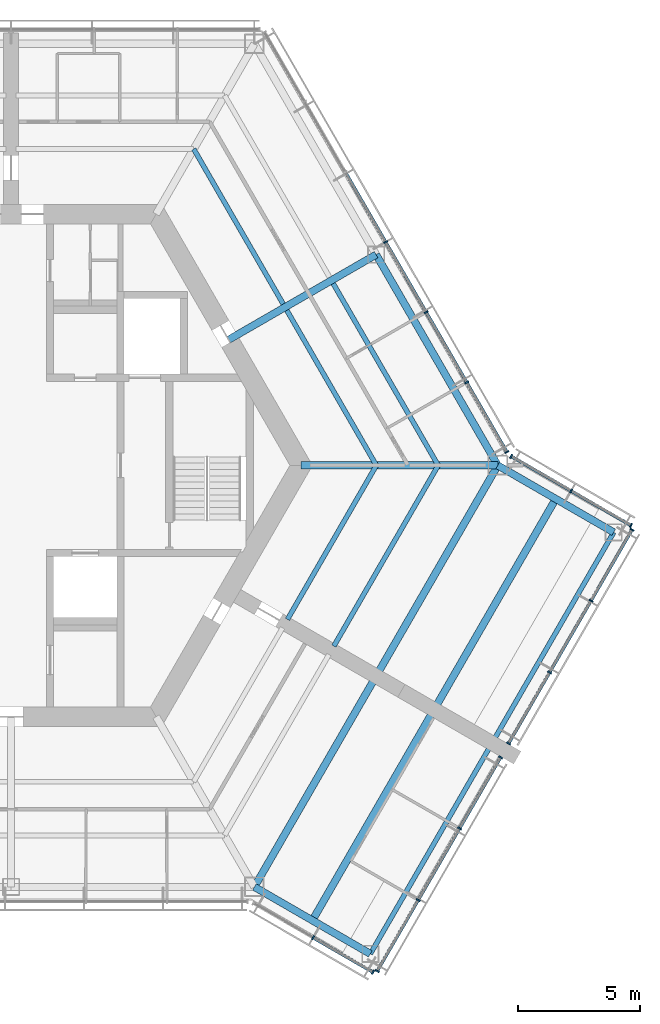
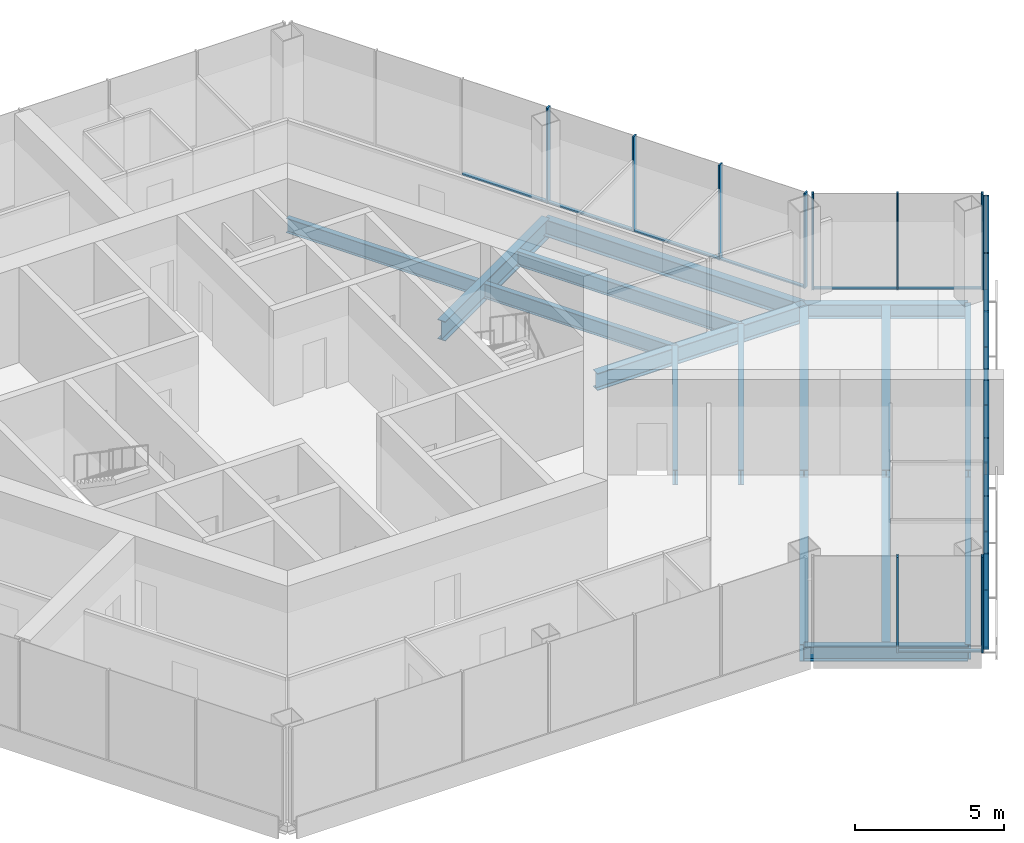
# One storey, part 4 of 13: 30 members, 16 beams, 5 elements without a shape of their own.
"""IFC4 building model written with IfcOpenShell, lengths in metres."""

from ifc_helpers import new_model, si_unit, direction, frame, origin, origin_2d, place, context, subcontext, project, spatial, rectangle, i_section, extrude, material, material_profile, profile_set, type_object, element, aggregate, save


model = new_model("IFC4")

# Units and contexts
model_context = context("Model", 3, precision=1e-05, world=origin(), true_north=direction((0.0, 1.0)))
body_context = subcontext(model_context, "Body", "Model", "MODEL_VIEW")
ifc_project = project(units=[si_unit("LENGTHUNIT", "METRE"), si_unit("AREAUNIT", "SQUARE_METRE"), si_unit("VOLUMEUNIT", "CUBIC_METRE"), si_unit("PLANEANGLEUNIT", "RADIAN"), si_unit("MASSUNIT", "GRAM", prefix="KILO")], contexts=[model_context])

# Site, building, storey
site_placement = place(None, origin())
site = spatial("IfcSite", under=ifc_project, at=site_placement, CompositionType="ELEMENT")
building_placement = place(site_placement, origin())
building = spatial("IfcBuilding", under=site, at=building_placement, Name="Kasaneha Research Tower", CompositionType="ELEMENT")
storey_placement = place(building_placement, frame((0.0, 0.0, 290.800048828125)))
storey = spatial("IfcBuildingStorey", under=building, at=storey_placement, Name="L73", CompositionType="ELEMENT", Elevation=290.800048828125)

# Beams
ifc_material_1 = material(Name="Steel SN490B", Category="steel")
ifc_material_profile_1 = material_profile(ifc_material_1, i_section(OverallWidth=0.199951171875, OverallDepth=0.60009765625, WebThickness=0.010986328125, FlangeThickness=0.01708984375, FilletRadius=0.012939453125, at=origin_2d()), Name="H-600x200x11x17")
ifc_profile_set_1 = profile_set([ifc_material_profile_1], Name="Steel SN490B")
beam_type_1 = type_object("IfcBeamType", Name="B1-3 secondary beam H-600x200x11x17", PredefinedType="JOIST", material=ifc_profile_set_1)
beam_1_placement = place(storey_placement, frame((15.010986328125, 0.0, -0.449951171875), z_axis=(-0.499994443168, 0.866028611999, 0.0), x_axis=(-0.866028611999, -0.499994443168, 0.0)))
element("IfcBeam", 1, at=beam_1_placement, inside=storey, type_object=beam_type_1, Name="Secondary beam RS030L1 L73", PredefinedType="JOIST", context=body_context, shape_type="SweptSolid", body=[
    extrude(i_section(OverallWidth=0.199951171875, OverallDepth=0.60009765625, WebThickness=0.010986328125, FlangeThickness=0.01708984375, FilletRadius=0.012939453125, at=origin_2d()), origin(), (0.0, 0.0, 1.0), 7.35546875),
])
beam_2_placement = place(storey_placement, frame((17.551513671875, 0.0, -0.449951171875), z_axis=(-0.5000050195, 0.866022505755, 0.0), x_axis=(-0.866022505755, -0.5000050195, 0.0)))
element("IfcBeam", 2, at=beam_2_placement, inside=storey, type_object=beam_type_1, Name="Secondary beam RS030L2 L73", PredefinedType="JOIST", context=body_context, shape_type="SweptSolid", body=[
    extrude(i_section(OverallWidth=0.199951171875, OverallDepth=0.60009765625, WebThickness=0.010986328125, FlangeThickness=0.01708984375, FilletRadius=0.012939453125, at=origin_2d()), origin(), (0.0, 0.0, 1.0), 8.6259765625),
])
beam_3_placement = place(storey_placement, frame((7.505615234375, 13.0, -0.449951171875), z_axis=(0.499994443168, -0.866028611999, 0.0), x_axis=(0.866028611999, 0.499994443168, 0.0)))
element("IfcBeam", 3, at=beam_3_placement, inside=storey, type_object=beam_type_1, Name="Secondary beam RS030R1 L73", PredefinedType="JOIST", context=body_context, shape_type="SweptSolid", body=[
    extrude(i_section(OverallWidth=0.199951171875, OverallDepth=0.60009765625, WebThickness=0.010986328125, FlangeThickness=0.01708984375, FilletRadius=0.012939453125, at=origin_2d()), origin(), (0.0, 0.0, 1.0), 7.35546875),
])
beam_4_placement = place(storey_placement, frame((15.010986328125, 0.0, -0.449951171875), z_axis=(-0.499974128195, -0.866040340363, 0.0), x_axis=(0.866040340363, -0.499974128195, 0.0)))
element("IfcBeam", 4, at=beam_4_placement, inside=storey, type_object=beam_type_1, Name="Secondary beam RS330R1 L73", PredefinedType="JOIST", context=body_context, shape_type="SweptSolid", body=[
    extrude(i_section(OverallWidth=0.199951171875, OverallDepth=0.60009765625, WebThickness=0.010986328125, FlangeThickness=0.01708984375, FilletRadius=0.012939453125, at=origin_2d()), origin(), (0.0, 0.0, 1.0), 7.3056640625),
])
beam_5_placement = place(storey_placement, frame((17.551513671875, 0.0, -0.449951171875), z_axis=(-0.500000102728, -0.866025344474, 0.0), x_axis=(0.866025344474, -0.500000102728, 0.0)))
element("IfcBeam", 5, at=beam_5_placement, inside=storey, type_object=beam_type_1, Name="Secondary beam RS330R2 L73", PredefinedType="JOIST", context=body_context, shape_type="SweptSolid", body=[
    extrude(i_section(OverallWidth=0.199951171875, OverallDepth=0.60009765625, WebThickness=0.010986328125, FlangeThickness=0.01708984375, FilletRadius=0.012939453125, at=origin_2d()), origin(), (0.0, 0.0, 1.0), 8.57568359375),
])
ifc_material_2 = material(Name="Steel SN490B", Category="steel")
ifc_material_profile_2 = material_profile(ifc_material_2, i_section(OverallWidth=0.300048828125, OverallDepth=0.58203125, WebThickness=0.011962890625, FlangeThickness=0.01708984375, FilletRadius=0.012939453125, at=origin_2d()), Name="H-582x300x12x17")
ifc_profile_set_2 = profile_set([ifc_material_profile_2], Name="Steel SN490B")
beam_type_2 = type_object("IfcBeamType", Name="B2-3 secondary beam H-582x300x12x17", PredefinedType="JOIST", material=ifc_profile_set_2)
for number, where, z_axis, x_axis, name in (
    (6, (12.381591796875, -18.695556640625, -0.441162109375), (0.49999201416, 0.866030014362, 0.0), (-0.866030014362, 0.49999201416, 0.0), "Secondary beam WBCP1 L73"),
    (7, (22.381591796875, -1.375, -0.441162109375), (-0.49999201416, -0.866030014362, 0.0), (0.866030014362, -0.49999201416, 0.0), "Secondary beam WBCN1 L73"),
):
    element("IfcBeam", number, at=place(storey_placement, frame(where, z_axis=z_axis, x_axis=x_axis)), inside=storey, type_object=beam_type_2, Name=name, PredefinedType="JOIST", context=body_context, shape_type="SweptSolid", body=[
        extrude(i_section(OverallWidth=0.300048828125, OverallDepth=0.58203125, WebThickness=0.011962890625, FlangeThickness=0.01708984375, FilletRadius=0.012939453125, at=origin_2d()), origin(), (0.0, 0.0, 1.0), 9.800048828125),
    ])

# Curtain wall, members
ifc_material_3 = material(Name="Glass and aluminium", Category="aluminium")
curtain_wall_type = type_object("IfcCurtainWallType", Name="Crown curtain wall", PredefinedType="USERDEFINED", material=ifc_material_3)
curtain_wall_1_placement = place(storey_placement, origin())
curtain_wall_1 = element("IfcCurtainWall", 8, at=curtain_wall_1_placement, inside=storey, type_object=curtain_wall_type, Name="CW-C L73 run 01a", ObjectType="UNITISED CURTAIN WALL", PredefinedType="USERDEFINED")
ifc_material_4 = material(Name="Aluminium 6063-T6", Category="aluminium")
ifc_material_profile_3 = material_profile(ifc_material_4, rectangle(XDim=0.06005859375, YDim=0.179931640625, at=origin_2d()), Name="CW-C mullion 60x180")
ifc_profile_set_3 = profile_set([ifc_material_profile_3], Name="Aluminium 6063-T6")
member_type_1 = type_object("IfcMemberType", Name="CW-C mullion", PredefinedType="MULLION", material=ifc_profile_set_3)
member_1_placement = place(storey_placement, frame((20.374267578125, 0.5517578125, 0.0), z_axis=(0.0, 0.0, 1.0), x_axis=(-0.499999979232, 0.866025415775, 0.0)))
member_1 = element("IfcMember", 9, at=member_1_placement, type_object=member_type_1, Name="CW-C mullion 1", PredefinedType="MULLION", context=body_context, shape_type="SweptSolid", body=[
    extrude(rectangle(XDim=0.06005859375, YDim=0.179931640625, at=origin_2d()), origin(), (0.0, 0.0, 1.0), 3.89990234375),
])
member_2_placement = place(storey_placement, frame((18.723876953125, 3.410400390625, 0.0), z_axis=(0.0, 0.0, 1.0), x_axis=(-0.499999979232, 0.866025415775, 0.0)))
member_2 = element("IfcMember", 10, at=member_2_placement, type_object=member_type_1, Name="CW-C mullion 2", PredefinedType="MULLION", context=body_context, shape_type="SweptSolid", body=[
    extrude(rectangle(XDim=0.06005859375, YDim=0.179931640625, at=origin_2d()), origin(), (0.0, 0.0, 1.0), 3.89990234375),
])
member_3_placement = place(storey_placement, frame((17.058349609375, 6.295166015625, 0.0), z_axis=(0.0, 0.0, 1.0), x_axis=(-0.499999979232, 0.866025415775, 0.0)))
member_3 = element("IfcMember", 11, at=member_3_placement, type_object=member_type_1, Name="CW-C mullion 3", PredefinedType="MULLION", context=body_context, shape_type="SweptSolid", body=[
    extrude(rectangle(XDim=0.06005859375, YDim=0.179931640625, at=origin_2d()), origin(), (0.0, 0.0, 1.0), 3.89990234375),
])
member_4_placement = place(storey_placement, frame((15.392822265625, 9.179931640625, 0.0), z_axis=(0.0, 0.0, 1.0), x_axis=(-0.499999979232, 0.866025415775, 0.0)))
member_4 = element("IfcMember", 12, at=member_4_placement, type_object=member_type_1, Name="CW-C mullion 4", PredefinedType="MULLION", context=body_context, shape_type="SweptSolid", body=[
    extrude(rectangle(XDim=0.06005859375, YDim=0.179931640625, at=origin_2d()), origin(), (0.0, 0.0, 1.0), 3.89990234375),
])

curtain_wall_2_placement = place(storey_placement, origin())
curtain_wall_2 = element("IfcCurtainWall", 13, at=curtain_wall_2_placement, inside=storey, type_object=curtain_wall_type, Name="CW-C L73 run 06a", ObjectType="UNITISED CURTAIN WALL", PredefinedType="USERDEFINED")
member_5_placement = place(storey_placement, frame((12.410888671875, -19.4052734375, 0.0), z_axis=(0.0, 0.0, 1.0), x_axis=(0.866025443395, -0.499999931393, 0.0)))
member_5 = element("IfcMember", 14, at=member_5_placement, type_object=member_type_1, Name="CW-C mullion 2", PredefinedType="MULLION", context=body_context, shape_type="SweptSolid", body=[
    extrude(rectangle(XDim=0.06005859375, YDim=0.179931640625, at=origin_2d()), origin(), (0.0, 0.0, 1.0), 3.89990234375),
])
member_6_placement = place(storey_placement, frame((14.8701171875, -20.8251953125, 0.0), z_axis=(0.0, 0.0, 1.0), x_axis=(0.866025443395, -0.499999931393, 0.0)))
member_6 = element("IfcMember", 15, at=member_6_placement, type_object=member_type_1, Name="CW-C mullion 3", PredefinedType="MULLION", context=body_context, shape_type="SweptSolid", body=[
    extrude(rectangle(XDim=0.06005859375, YDim=0.179931640625, at=origin_2d()), origin(), (0.0, 0.0, 1.0), 3.89990234375),
])

curtain_wall_3_placement = place(storey_placement, origin())
curtain_wall_3 = element("IfcCurtainWall", 16, at=curtain_wall_3_placement, inside=storey, type_object=curtain_wall_type, Name="CW-C L73 run 07a", ObjectType="UNITISED CURTAIN WALL", PredefinedType="USERDEFINED")
member_7_placement = place(storey_placement, frame((15.0478515625, -20.777587890625, 0.0), z_axis=(0.0, 0.0, 1.0), x_axis=(0.500000011442, 0.866025397178, 0.0)))
member_7 = element("IfcMember", 17, at=member_7_placement, type_object=member_type_1, Name="CW-C mullion 1", PredefinedType="MULLION", context=body_context, shape_type="SweptSolid", body=[
    extrude(rectangle(XDim=0.06005859375, YDim=0.179931640625, at=origin_2d()), origin(), (0.0, 0.0, 1.0), 3.89990234375),
])
member_8_placement = place(storey_placement, frame((16.732666015625, -17.859130859375, 0.0), z_axis=(0.0, 0.0, 1.0), x_axis=(0.500000011442, 0.866025397178, 0.0)))
member_8 = element("IfcMember", 18, at=member_8_placement, type_object=member_type_1, Name="CW-C mullion 2", PredefinedType="MULLION", context=body_context, shape_type="SweptSolid", body=[
    extrude(rectangle(XDim=0.06005859375, YDim=0.179931640625, at=origin_2d()), origin(), (0.0, 0.0, 1.0), 3.89990234375),
])
member_9_placement = place(storey_placement, frame((18.432861328125, -14.91455078125, 0.0), z_axis=(0.0, 0.0, 1.0), x_axis=(0.500000011442, 0.866025397178, 0.0)))
member_9 = element("IfcMember", 19, at=member_9_placement, type_object=member_type_1, Name="CW-C mullion 3", PredefinedType="MULLION", context=body_context, shape_type="SweptSolid", body=[
    extrude(rectangle(XDim=0.06005859375, YDim=0.179931640625, at=origin_2d()), origin(), (0.0, 0.0, 1.0), 3.89990234375),
])
member_10_placement = place(storey_placement, frame((20.11767578125, -11.99609375, 0.0), z_axis=(0.0, 0.0, 1.0), x_axis=(0.500000011442, 0.866025397178, 0.0)))
member_10 = element("IfcMember", 20, at=member_10_placement, type_object=member_type_1, Name="CW-C mullion 4", PredefinedType="MULLION", context=body_context, shape_type="SweptSolid", body=[
    extrude(rectangle(XDim=0.06005859375, YDim=0.179931640625, at=origin_2d()), origin(), (0.0, 0.0, 1.0), 3.89990234375),
])

curtain_wall_4_placement = place(storey_placement, origin())
curtain_wall_4 = element("IfcCurtainWall", 21, at=curtain_wall_4_placement, inside=storey, type_object=curtain_wall_type, Name="CW-C L73 run 08a", ObjectType="UNITISED CURTAIN WALL", PredefinedType="USERDEFINED")
member_11_placement = place(storey_placement, frame((20.44775390625, -11.424560546875, 0.0), z_axis=(0.0, 0.0, 1.0), x_axis=(0.500000011442, 0.866025397178, 0.0)))
member_11 = element("IfcMember", 22, at=member_11_placement, type_object=member_type_1, Name="CW-C mullion 1", PredefinedType="MULLION", context=body_context, shape_type="SweptSolid", body=[
    extrude(rectangle(XDim=0.06005859375, YDim=0.179931640625, at=origin_2d()), origin(), (0.0, 0.0, 1.0), 3.89990234375),
])
member_12_placement = place(storey_placement, frame((22.1328125, -8.505859375, 0.0), z_axis=(0.0, 0.0, 1.0), x_axis=(0.500000011442, 0.866025397178, 0.0)))
member_12 = element("IfcMember", 23, at=member_12_placement, type_object=member_type_1, Name="CW-C mullion 2", PredefinedType="MULLION", context=body_context, shape_type="SweptSolid", body=[
    extrude(rectangle(XDim=0.06005859375, YDim=0.179931640625, at=origin_2d()), origin(), (0.0, 0.0, 1.0), 3.89990234375),
])
member_13_placement = place(storey_placement, frame((23.832763671875, -5.5615234375, 0.0), z_axis=(0.0, 0.0, 1.0), x_axis=(0.500000011442, 0.866025397178, 0.0)))
member_13 = element("IfcMember", 24, at=member_13_placement, type_object=member_type_1, Name="CW-C mullion 3", PredefinedType="MULLION", context=body_context, shape_type="SweptSolid", body=[
    extrude(rectangle(XDim=0.06005859375, YDim=0.179931640625, at=origin_2d()), origin(), (0.0, 0.0, 1.0), 3.89990234375),
])
member_14_placement = place(storey_placement, frame((25.517822265625, -2.64306640625, 0.0), z_axis=(0.0, 0.0, 1.0), x_axis=(0.500000011442, 0.866025397178, 0.0)))
member_14 = element("IfcMember", 25, at=member_14_placement, type_object=member_type_1, Name="CW-C mullion 4", PredefinedType="MULLION", context=body_context, shape_type="SweptSolid", body=[
    extrude(rectangle(XDim=0.06005859375, YDim=0.179931640625, at=origin_2d()), origin(), (0.0, 0.0, 1.0), 3.89990234375),
])

curtain_wall_5_placement = place(storey_placement, origin())
curtain_wall_5 = element("IfcCurtainWall", 26, at=curtain_wall_5_placement, inside=storey, type_object=curtain_wall_type, Name="CW-C L73 run 09a", ObjectType="UNITISED CURTAIN WALL", PredefinedType="USERDEFINED")
member_15_placement = place(storey_placement, frame((25.47021484375, -2.46533203125, 0.0), z_axis=(0.0, 0.0, 1.0), x_axis=(-0.866025443395, 0.499999931393, 0.0)))
member_15 = element("IfcMember", 27, at=member_15_placement, type_object=member_type_1, Name="CW-C mullion 1", PredefinedType="MULLION", context=body_context, shape_type="SweptSolid", body=[
    extrude(rectangle(XDim=0.06005859375, YDim=0.179931640625, at=origin_2d()), origin(), (0.0, 0.0, 1.0), 3.89990234375),
])
member_16_placement = place(storey_placement, frame((23.010986328125, -1.045654296875, 0.0), z_axis=(0.0, 0.0, 1.0), x_axis=(-0.866025443395, 0.499999931393, 0.0)))
member_16 = element("IfcMember", 28, at=member_16_placement, type_object=member_type_1, Name="CW-C mullion 2", PredefinedType="MULLION", context=body_context, shape_type="SweptSolid", body=[
    extrude(rectangle(XDim=0.06005859375, YDim=0.179931640625, at=origin_2d()), origin(), (0.0, 0.0, 1.0), 3.89990234375),
])
member_17_placement = place(storey_placement, frame((20.5517578125, 0.374267578125, 0.0), z_axis=(0.0, 0.0, 1.0), x_axis=(-0.866025443395, 0.499999931393, 0.0)))
member_17 = element("IfcMember", 29, at=member_17_placement, type_object=member_type_1, Name="CW-C mullion 3", PredefinedType="MULLION", context=body_context, shape_type="SweptSolid", body=[
    extrude(rectangle(XDim=0.06005859375, YDim=0.179931640625, at=origin_2d()), origin(), (0.0, 0.0, 1.0), 3.89990234375),
])

# Member
ifc_material_5 = material(Name="Aluminium 6063-T6", Category="aluminium")
ifc_material_profile_4 = material_profile(ifc_material_5, rectangle(XDim=0.1298828125, YDim=0.06005859375, at=origin_2d()), Name="CW-C transom 130x60")
ifc_profile_set_4 = profile_set([ifc_material_profile_4], Name="Aluminium 6063-T6")
member_type_2 = type_object("IfcMemberType", Name="CW-C transom", PredefinedType="USERDEFINED", material=ifc_profile_set_4)
member_18_placement = place(storey_placement, frame((20.359130859375, 0.577880859375, 0.030029296875), z_axis=(-0.499987643696, 0.866032537582, 0.0), x_axis=(-0.866032537582, -0.499987643696, 0.0)))
member_18 = element("IfcMember", 30, at=member_18_placement, type_object=member_type_2, Name="CW-C transom 1", ObjectType="TRANSOM", PredefinedType="USERDEFINED", context=body_context, shape_type="SweptSolid", body=[
    extrude(rectangle(XDim=0.1298828125, YDim=0.06005859375, at=origin_2d()), origin(), (0.0, 0.0, 1.0), 3.24072265625),
])

member_19_placement = place(storey_placement, frame((18.708740234375, 3.4365234375, 0.030029296875), z_axis=(-0.500000270186, 0.866025247793, 0.0), x_axis=(-0.866025247793, -0.500000270186, 0.0)))
member_19 = element("IfcMember", 31, at=member_19_placement, type_object=member_type_2, Name="CW-C transom 2", ObjectType="TRANSOM", PredefinedType="USERDEFINED", context=body_context, shape_type="SweptSolid", body=[
    extrude(rectangle(XDim=0.1298828125, YDim=0.06005859375, at=origin_2d()), origin(), (0.0, 0.0, 1.0), 3.27099609375),
])

member_20_placement = place(storey_placement, frame((17.043212890625, 6.3212890625, 0.030029296875), z_axis=(-0.50003259116, 0.866006586452, 0.0), x_axis=(-0.866006586452, -0.50003259116, 0.0)))
member_20 = element("IfcMember", 32, at=member_20_placement, type_object=member_type_2, Name="CW-C transom 3", ObjectType="TRANSOM", PredefinedType="USERDEFINED", context=body_context, shape_type="SweptSolid", body=[
    extrude(rectangle(XDim=0.1298828125, YDim=0.06005859375, at=origin_2d()), origin(), (0.0, 0.0, 1.0), 3.270751953125),
])

member_21_placement = place(storey_placement, frame((15.3779296875, 9.205810546875, 0.030029296875), z_axis=(-0.500000270186, 0.866025247793, 0.0), x_axis=(-0.866025247793, -0.500000270186, 0.0)))
member_21 = element("IfcMember", 33, at=member_21_placement, type_object=member_type_2, Name="CW-C transom 4", ObjectType="TRANSOM", PredefinedType="USERDEFINED", context=body_context, shape_type="SweptSolid", body=[
    extrude(rectangle(XDim=0.1298828125, YDim=0.06005859375, at=origin_2d()), origin(), (0.0, 0.0, 1.0), 3.27099609375),
])

aggregate(curtain_wall_1, [member_1, member_2, member_3, member_4, member_18, member_19, member_20, member_21])

member_22_placement = place(storey_placement, frame((12.43701171875, -19.42041015625, 0.030029296875), z_axis=(0.866051024128, -0.499955621637, 0.0), x_axis=(0.499955621637, 0.866051024128, 0.0)))
member_22 = element("IfcMember", 34, at=member_22_placement, type_object=member_type_2, Name="CW-C transom 2", ObjectType="TRANSOM", PredefinedType="USERDEFINED", context=body_context, shape_type="SweptSolid", body=[
    extrude(rectangle(XDim=0.1298828125, YDim=0.06005859375, at=origin_2d()), origin(), (0.0, 0.0, 1.0), 2.779541015625),
])

aggregate(curtain_wall_2, [member_5, member_6, member_22])

member_23_placement = place(storey_placement, frame((15.062744140625, -20.75146484375, 0.030029296875), z_axis=(0.500018282537, 0.866014848099, 0.0), x_axis=(-0.866014848099, 0.500018282537, 0.0)))
member_23 = element("IfcMember", 35, at=member_23_placement, type_object=member_type_2, Name="CW-C transom 1", ObjectType="TRANSOM", PredefinedType="USERDEFINED", context=body_context, shape_type="SweptSolid", body=[
    extrude(rectangle(XDim=0.1298828125, YDim=0.06005859375, at=origin_2d()), origin(), (0.0, 0.0, 1.0), 3.31005859375),
])

member_24_placement = place(storey_placement, frame((16.747802734375, -17.8330078125, 0.030029296875), z_axis=(0.499975549825, 0.866039519639, 0.0), x_axis=(-0.866039519639, 0.499975549825, 0.0)))
member_24 = element("IfcMember", 36, at=member_24_placement, type_object=member_type_2, Name="CW-C transom 2", ObjectType="TRANSOM", PredefinedType="USERDEFINED", context=body_context, shape_type="SweptSolid", body=[
    extrude(rectangle(XDim=0.1298828125, YDim=0.06005859375, at=origin_2d()), origin(), (0.0, 0.0, 1.0), 3.340087890625),
])

member_25_placement = place(storey_placement, frame((18.44775390625, -14.888671875, 0.030029296875), z_axis=(0.49998634449, 0.866033287653, 0.0), x_axis=(-0.866033287653, 0.49998634449, 0.0)))
member_25 = element("IfcMember", 37, at=member_25_placement, type_object=member_type_2, Name="CW-C transom 3", ObjectType="TRANSOM", PredefinedType="USERDEFINED", context=body_context, shape_type="SweptSolid", body=[
    extrude(rectangle(XDim=0.1298828125, YDim=0.06005859375, at=origin_2d()), origin(), (0.0, 0.0, 1.0), 3.31005859375),
])

aggregate(curtain_wall_3, [member_7, member_8, member_9, member_10, member_23, member_24, member_25])

member_26_placement = place(storey_placement, frame((20.462646484375, -11.3984375, 0.030029296875), z_axis=(0.500018282537, 0.866014848099, 0.0), x_axis=(-0.866014848099, 0.500018282537, 0.0)))
member_26 = element("IfcMember", 38, at=member_26_placement, type_object=member_type_2, Name="CW-C transom 1", ObjectType="TRANSOM", PredefinedType="USERDEFINED", context=body_context, shape_type="SweptSolid", body=[
    extrude(rectangle(XDim=0.1298828125, YDim=0.06005859375, at=origin_2d()), origin(), (0.0, 0.0, 1.0), 3.31005859375),
])

member_27_placement = place(storey_placement, frame((22.147705078125, -8.47998046875, 0.030029296875), z_axis=(0.500030370488, 0.866007868665, 0.0), x_axis=(-0.866007868665, 0.500030370488, 0.0)))
member_27 = element("IfcMember", 39, at=member_27_placement, type_object=member_type_2, Name="CW-C transom 2", ObjectType="TRANSOM", PredefinedType="USERDEFINED", context=body_context, shape_type="SweptSolid", body=[
    extrude(rectangle(XDim=0.1298828125, YDim=0.06005859375, at=origin_2d()), origin(), (0.0, 0.0, 1.0), 3.340087890625),
])

member_28_placement = place(storey_placement, frame((23.84765625, -5.535400390625, 0.030029296875), z_axis=(0.500018282537, 0.866014848099, 0.0), x_axis=(-0.866014848099, 0.500018282537, 0.0)))
member_28 = element("IfcMember", 40, at=member_28_placement, type_object=member_type_2, Name="CW-C transom 3", ObjectType="TRANSOM", PredefinedType="USERDEFINED", context=body_context, shape_type="SweptSolid", body=[
    extrude(rectangle(XDim=0.1298828125, YDim=0.06005859375, at=origin_2d()), origin(), (0.0, 0.0, 1.0), 3.31005859375),
])

aggregate(curtain_wall_4, [member_11, member_12, member_13, member_14, member_26, member_27, member_28])

member_29_placement = place(storey_placement, frame((25.444091796875, -2.450439453125, 0.030029296875), z_axis=(-0.866012991964, 0.500021497287, 0.0), x_axis=(-0.500021497287, -0.866012991964, 0.0)))
member_29 = element("IfcMember", 41, at=member_29_placement, type_object=member_type_2, Name="CW-C transom 1", ObjectType="TRANSOM", PredefinedType="USERDEFINED", context=body_context, shape_type="SweptSolid", body=[
    extrude(rectangle(XDim=0.1298828125, YDim=0.06005859375, at=origin_2d()), origin(), (0.0, 0.0, 1.0), 2.77978515625),
])

member_30_placement = place(storey_placement, frame((22.985107421875, -1.030517578125, 0.030029296875), z_axis=(-0.866051024128, 0.499955621637, 0.0), x_axis=(-0.499955621637, -0.866051024128, 0.0)))
member_30 = element("IfcMember", 42, at=member_30_placement, type_object=member_type_2, Name="CW-C transom 2", ObjectType="TRANSOM", PredefinedType="USERDEFINED", context=body_context, shape_type="SweptSolid", body=[
    extrude(rectangle(XDim=0.1298828125, YDim=0.06005859375, at=origin_2d()), origin(), (0.0, 0.0, 1.0), 2.779541015625),
])

aggregate(curtain_wall_5, [member_15, member_16, member_17, member_29, member_30])

# Beams
ifc_material_6 = material(Name="Steel SN490B", Category="steel")
ifc_material_profile_5 = material_profile(ifc_material_6, i_section(OverallWidth=0.300048828125, OverallDepth=0.699951171875, WebThickness=0.012939453125, FlangeThickness=0.02392578125, FilletRadius=0.01806640625, at=origin_2d()), Name="H-700x300x13x24")
ifc_profile_set_5 = profile_set([ifc_material_profile_5], Name="Steel SN490B")
beam_type_3 = type_object("IfcBeamType", Name="G1-3 radial girder H-700x300x13x24", PredefinedType="BEAM", material=ifc_profile_set_5)
beam_6_placement = place(storey_placement, frame((11.92236328125, 0.0, -0.5), z_axis=(1.0, 0.0, 0.0), x_axis=(0.0, 1.0, 0.0)))
element("IfcBeam", 43, at=beam_6_placement, inside=storey, type_object=beam_type_3, Name="Radial girder RV000 L73", PredefinedType="BEAM", context=body_context, shape_type="SweptSolid", body=[
    extrude(i_section(OverallWidth=0.300048828125, OverallDepth=0.699951171875, WebThickness=0.012939453125, FlangeThickness=0.02392578125, FilletRadius=0.01806640625, at=origin_2d()), origin(), (0.0, 0.0, 1.0), 8.07763671875),
])
ifc_material_7 = material(Name="Steel SN490B", Category="steel")
ifc_material_profile_6 = material_profile(ifc_material_7, i_section(OverallWidth=0.300048828125, OverallDepth=0.800048828125, WebThickness=0.013916015625, FlangeThickness=0.02587890625, FilletRadius=0.01806640625, at=origin_2d()), Name="H-800x300x14x26")
ifc_profile_set_6 = profile_set([ifc_material_profile_6], Name="Steel SN490B")
beam_type_4 = type_object("IfcBeamType", Name="G2-3 radial girder H-800x300x14x26", PredefinedType="BEAM", material=ifc_profile_set_6)
beam_7_placement = place(storey_placement, frame((8.941650390625, 5.16259765625, -0.550048828125), z_axis=(0.866039713508, 0.499975214012, 0.0), x_axis=(-0.499975214012, 0.866039713508, 0.0)))
element("IfcBeam", 44, at=beam_7_placement, inside=storey, type_object=beam_type_4, Name="Radial girder RM030 L73", PredefinedType="BEAM", context=body_context, shape_type="SweptSolid", body=[
    extrude(i_section(OverallWidth=0.300048828125, OverallDepth=0.800048828125, WebThickness=0.013916015625, FlangeThickness=0.02587890625, FilletRadius=0.01806640625, at=origin_2d()), origin(), (0.0, 0.0, 1.0), 6.995361328125),
])
ifc_material_8 = material(Name="Steel SN490B", Category="steel")
ifc_material_profile_7 = material_profile(ifc_material_8, i_section(OverallWidth=0.300048828125, OverallDepth=0.69189453125, WebThickness=0.012939453125, FlangeThickness=0.02001953125, FilletRadius=0.01806640625, at=origin_2d()), Name="H-692x300x13x20")
ifc_profile_set_7 = profile_set([ifc_material_profile_7], Name="Steel SN490B")
beam_type_5 = type_object("IfcBeamType", Name="G3-3 plate edge girder H-692x300x13x20", PredefinedType="BEAM", material=ifc_profile_set_7)
for number, where, z_axis, x_axis, name in (
    (45, (10.0, -17.320556640625, -0.49609375), (0.49999201416, 0.866030014362, 0.0), (-0.866030014362, 0.49999201416, 0.0), "Plate edge girder PECP L73"),
    (46, (20.0, 0.0, -0.49609375), (-0.49999201416, -0.866030014362, 0.0), (0.866030014362, -0.49999201416, 0.0), "Plate edge girder PECN L73"),
):
    element("IfcBeam", number, at=place(storey_placement, frame(where, z_axis=z_axis, x_axis=x_axis)), inside=storey, type_object=beam_type_5, Name=name, PredefinedType="BEAM", context=body_context, shape_type="SweptSolid", body=[
        extrude(i_section(OverallWidth=0.300048828125, OverallDepth=0.69189453125, WebThickness=0.012939453125, FlangeThickness=0.02001953125, FilletRadius=0.01806640625, at=origin_2d()), origin(), (0.0, 0.0, 1.0), 9.800048828125),
    ])
ifc_material_9 = material(Name="Steel SN490B", Category="steel")
ifc_material_profile_8 = material_profile(ifc_material_9, i_section(OverallWidth=0.300048828125, OverallDepth=0.69189453125, WebThickness=0.012939453125, FlangeThickness=0.02001953125, FilletRadius=0.01806640625, at=origin_2d()), Name="H-692x300x13x20")
ifc_profile_set_8 = profile_set([ifc_material_profile_8], Name="Steel SN490B")
beam_type_6 = type_object("IfcBeamType", Name="SB1-3 spandrel beam H-692x300x13x20", PredefinedType="SPANDREL", material=ifc_profile_set_8)
beam_8_placement = place(storey_placement, frame((20.0, 0.0, -0.49609375), z_axis=(-0.500004234368, 0.866022959057, 0.0), x_axis=(-0.866022959057, -0.500004234368, 0.0)))
element("IfcBeam", 47, at=beam_8_placement, inside=storey, type_object=beam_type_6, Name="Spandrel beam SR030L L73", PredefinedType="SPANDREL", context=body_context, shape_type="SweptSolid", body=[
    extrude(i_section(OverallWidth=0.300048828125, OverallDepth=0.69189453125, WebThickness=0.012939453125, FlangeThickness=0.02001953125, FilletRadius=0.01806640625, at=origin_2d()), origin(), (0.0, 0.0, 1.0), 10.0),
])
ifc_material_10 = material(Name="Steel SN490B", Category="steel")
ifc_material_profile_9 = material_profile(ifc_material_10, i_section(OverallWidth=0.300048828125, OverallDepth=0.58203125, WebThickness=0.011962890625, FlangeThickness=0.01708984375, FilletRadius=0.012939453125, at=origin_2d()), Name="H-582x300x12x17")
ifc_profile_set_9 = profile_set([ifc_material_profile_9], Name="Steel SN490B")
beam_type_7 = type_object("IfcBeamType", Name="SB2-3 spandrel beam H-582x300x12x17", PredefinedType="SPANDREL", material=ifc_profile_set_9)
for number, where, z_axis, x_axis, name in (
    (48, (10.0, -17.320556640625, -0.441162109375), (0.866027397988, -0.499996545922, 0.0), (0.499996545922, 0.866027397988, 0.0), "Spandrel beam WSCP1 L73"),
    (49, (20.0, 0.0, -0.441162109375), (0.866027397988, -0.499996545922, 0.0), (0.499996545922, 0.866027397988, 0.0), "Spandrel beam WSCN1 L73"),
):
    element("IfcBeam", number, at=place(storey_placement, frame(where, z_axis=z_axis, x_axis=x_axis)), inside=storey, type_object=beam_type_7, Name=name, PredefinedType="SPANDREL", context=body_context, shape_type="SweptSolid", body=[
        extrude(i_section(OverallWidth=0.300048828125, OverallDepth=0.58203125, WebThickness=0.011962890625, FlangeThickness=0.01708984375, FilletRadius=0.012939453125, at=origin_2d()), origin(), (0.0, 0.0, 1.0), 5.5),
    ])
ifc_material_11 = material(Name="Steel SN490B", Category="steel")
ifc_material_profile_10 = material_profile(ifc_material_11, i_section(OverallWidth=0.199951171875, OverallDepth=0.60009765625, WebThickness=0.010986328125, FlangeThickness=0.01708984375, FilletRadius=0.012939453125, at=origin_2d()), Name="H-600x200x11x17")
ifc_profile_set_10 = profile_set([ifc_material_profile_10], Name="Steel SN490B")
beam_type_8 = type_object("IfcBeamType", Name="SB3-3 spandrel beam H-600x200x11x17", PredefinedType="SPANDREL", material=ifc_profile_set_10)
for number, where, z_axis, x_axis, name in (
    (50, (14.76318359375, -20.070556640625, -0.449951171875), (0.49999201416, 0.866030014362, 0.0), (-0.866030014362, 0.49999201416, 0.0), "Spandrel beam WTCP L73"),
    (51, (24.76318359375, -2.75, -0.449951171875), (-0.500010698315, -0.866019227021, 0.0), (0.866019227021, -0.500010698315, 0.0), "Spandrel beam WTCN L73"),
):
    element("IfcBeam", number, at=place(storey_placement, frame(where, z_axis=z_axis, x_axis=x_axis)), inside=storey, type_object=beam_type_8, Name=name, PredefinedType="SPANDREL", context=body_context, shape_type="SweptSolid", body=[
        extrude(i_section(OverallWidth=0.199951171875, OverallDepth=0.60009765625, WebThickness=0.010986328125, FlangeThickness=0.01708984375, FilletRadius=0.012939453125, at=origin_2d()), origin(), (0.0, 0.0, 1.0), 9.800048828125),
    ])

save(model, "model.ifc")
